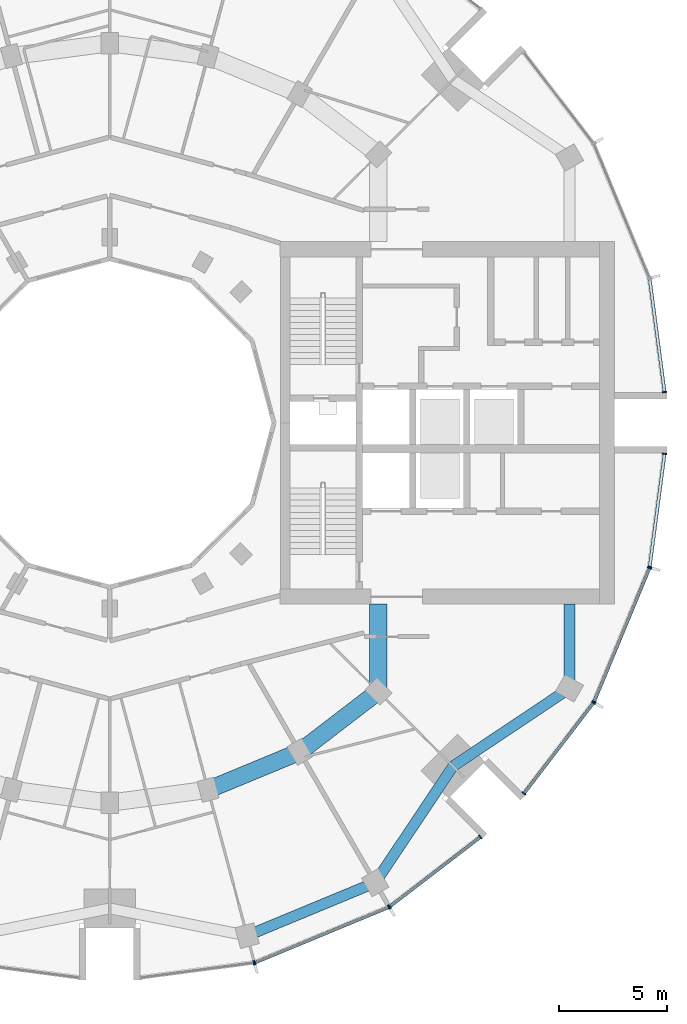
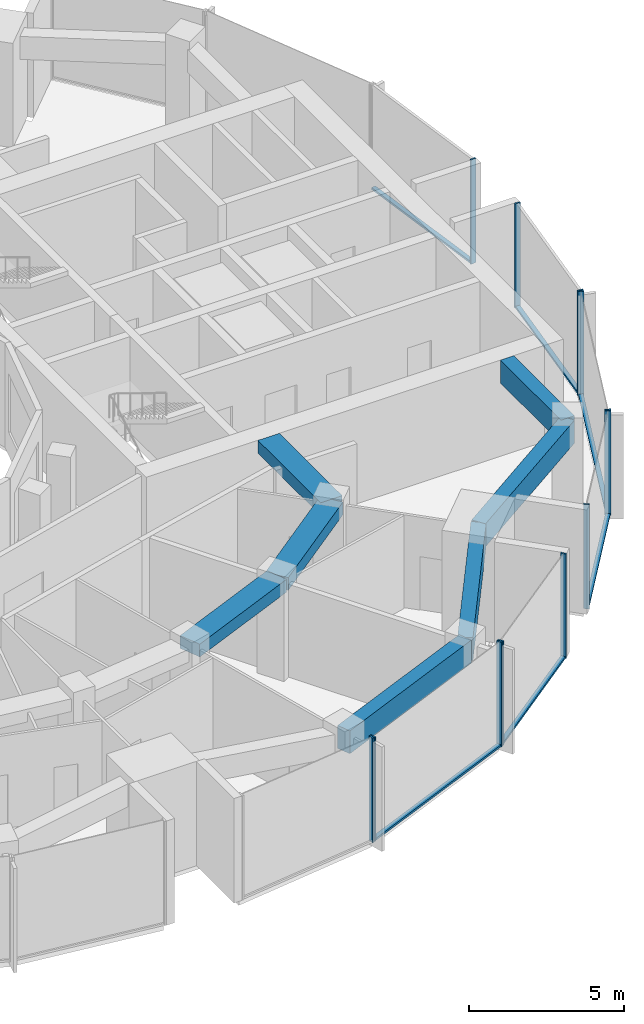
# One storey, part 4 of 15: 18 members, 7 beams, 7 elements without a shape of their own.
"""IFC4 building model written with IfcOpenShell, lengths in metres."""

from ifc_helpers import new_model, si_unit, direction, frame, origin, origin_2d, place, context, subcontext, project, spatial, rectangle, extrude, material, layer, layer_set, material_profile, profile_set, type_object, element, aggregate, save


model = new_model("IFC4")

# Units and contexts
model_context = context("Model", 3, precision=1e-05, world=origin(), true_north=direction((0.0, 1.0)))
body_context = subcontext(model_context, "Body", "Model", "MODEL_VIEW")
ifc_project = project(units=[si_unit("LENGTHUNIT", "METRE"), si_unit("AREAUNIT", "SQUARE_METRE"), si_unit("VOLUMEUNIT", "CUBIC_METRE"), si_unit("PLANEANGLEUNIT", "RADIAN"), si_unit("MASSUNIT", "GRAM", prefix="KILO")], contexts=[model_context])

# Site, building, storey
site_placement = place(None, origin())
site = spatial("IfcSite", under=ifc_project, at=site_placement, CompositionType="ELEMENT")
building_placement = place(site_placement, origin())
building = spatial("IfcBuilding", under=site, at=building_placement, Name="Torre Brocal", CompositionType="ELEMENT")
storey_placement = place(building_placement, frame((0.0, 0.0, 194.60009765625)))
storey = spatial("IfcBuildingStorey", under=building, at=storey_placement, Name="L45", CompositionType="ELEMENT", Elevation=194.60009765625)

# Curtain wall, member
ifc_material_1 = material(Name="Aluminium and glass", Category="aluminium")
ifc_layer_1 = layer(ifc_material_1, 0.199951171875)
ifc_layer_set_1 = layer_set([ifc_layer_1], Name="Aluminium and glass")
curtain_wall_type_1 = type_object("IfcCurtainWallType", Name="CW-1 CURTAIN WALL 4100 HIGH", PredefinedType="NOTDEFINED", material=ifc_layer_set_1)
curtain_wall_1_placement = place(storey_placement, origin())
curtain_wall_1 = element("IfcCurtainWall", 1, at=curtain_wall_1_placement, inside=storey, type_object=curtain_wall_type_1, Name="CW-1 RUN 19", PredefinedType="NOTDEFINED")
ifc_material_2 = material(Name="Aluminium, dark anodised", Category="aluminium")
ifc_material_profile_1 = material_profile(ifc_material_2, rectangle(XDim=0.199951171875, YDim=0.06005859375, at=origin_2d()), Name="CW-1 MULLION 60X200")
ifc_profile_set_1 = profile_set([ifc_material_profile_1], Name="Aluminium, dark anodised")
member_type_1 = type_object("IfcMemberType", Name="CW-1 MULLION 60X200", PredefinedType="MULLION", material=ifc_profile_set_1)
member_1_placement = place(storey_placement, frame((86.67333984375, 49.9794921875, 0.0), z_axis=(0.0, 0.0, 1.0), x_axis=(-0.13052619222, 0.991444861374, 0.0)))
member_1 = element("IfcMember", 2, at=member_1_placement, type_object=member_type_1, Name="CW1-4 mullion 2", PredefinedType="MULLION", context=body_context, shape_type="SweptSolid", body=[
    extrude(rectangle(XDim=0.199951171875, YDim=0.06005859375, at=origin_2d()), origin(), (0.0, 0.0, 1.0), 4.099853515625),
])
aggregate(curtain_wall_1, [member_1])

# Curtain wall, members
curtain_wall_2_placement = place(storey_placement, origin())
curtain_wall_2 = element("IfcCurtainWall", 3, at=curtain_wall_2_placement, inside=storey, type_object=curtain_wall_type_1, Name="CW-1 RUN 20", PredefinedType="NOTDEFINED")
member_2_placement = place(storey_placement, frame((86.73095703125, 49.994873046875, 0.0), z_axis=(0.0, 0.0, 1.0), x_axis=(-0.382683432333, 0.923879532525, 0.0)))
member_2 = element("IfcMember", 4, at=member_2_placement, type_object=member_type_1, Name="CW1-4 mullion 1", PredefinedType="MULLION", context=body_context, shape_type="SweptSolid", body=[
    extrude(rectangle(XDim=0.199951171875, YDim=0.06005859375, at=origin_2d()), origin(), (0.0, 0.0, 1.0), 4.099853515625),
])
member_3_placement = place(storey_placement, frame((92.921875, 52.559326171875, 0.0), z_axis=(0.0, 0.0, 1.0), x_axis=(-0.382683432333, 0.923879532525, 0.0)))
member_3 = element("IfcMember", 5, at=member_3_placement, type_object=member_type_1, Name="CW1-4 mullion 2", PredefinedType="MULLION", context=body_context, shape_type="SweptSolid", body=[
    extrude(rectangle(XDim=0.199951171875, YDim=0.06005859375, at=origin_2d()), origin(), (0.0, 0.0, 1.0), 4.099853515625),
])

curtain_wall_3_placement = place(storey_placement, origin())
curtain_wall_3 = element("IfcCurtainWall", 6, at=curtain_wall_3_placement, inside=storey, type_object=curtain_wall_type_1, Name="CW-1 RUN 21", PredefinedType="NOTDEFINED")
member_4_placement = place(storey_placement, frame((92.973388671875, 52.5888671875, 0.0), z_axis=(0.0, 0.0, 1.0), x_axis=(-0.60876142905, 0.793353340259, 0.0)))
member_4 = element("IfcMember", 7, at=member_4_placement, type_object=member_type_1, Name="CW1-4 mullion 1", PredefinedType="MULLION", context=body_context, shape_type="SweptSolid", body=[
    extrude(rectangle(XDim=0.199951171875, YDim=0.06005859375, at=origin_2d()), origin(), (0.0, 0.0, 1.0), 4.099853515625),
])
member_5_placement = place(storey_placement, frame((97.16943359375, 55.80859375, 0.0), z_axis=(0.0, 0.0, 1.0), x_axis=(-0.60876142905, 0.793353340259, 0.0)))
member_5 = element("IfcMember", 8, at=member_5_placement, type_object=member_type_1, Name="CW1-4 mullion 2", PredefinedType="MULLION", context=body_context, shape_type="SweptSolid", body=[
    extrude(rectangle(XDim=0.199951171875, YDim=0.06005859375, at=origin_2d()), origin(), (0.0, 0.0, 1.0), 4.099853515625),
])

curtain_wall_4_placement = place(storey_placement, origin())
curtain_wall_4 = element("IfcCurtainWall", 9, at=curtain_wall_4_placement, inside=storey, type_object=curtain_wall_type_1, Name="CW-1 RUN 22", PredefinedType="NOTDEFINED")
member_6_placement = place(storey_placement, frame((99.19140625, 57.83056640625, 0.0), z_axis=(0.0, 0.0, 1.0), x_axis=(-0.793353340259, 0.60876142905, 0.0)))
member_6 = element("IfcMember", 10, at=member_6_placement, type_object=member_type_1, Name="CW1-4 mullion 1", PredefinedType="MULLION", context=body_context, shape_type="SweptSolid", body=[
    extrude(rectangle(XDim=0.199951171875, YDim=0.06005859375, at=origin_2d()), origin(), (0.0, 0.0, 1.0), 4.099853515625),
])
member_7_placement = place(storey_placement, frame((102.4111328125, 62.026611328125, 0.0), z_axis=(0.0, 0.0, 1.0), x_axis=(-0.793353340259, 0.60876142905, 0.0)))
member_7 = element("IfcMember", 11, at=member_7_placement, type_object=member_type_1, Name="CW1-4 mullion 2", PredefinedType="MULLION", context=body_context, shape_type="SweptSolid", body=[
    extrude(rectangle(XDim=0.199951171875, YDim=0.06005859375, at=origin_2d()), origin(), (0.0, 0.0, 1.0), 4.099853515625),
])

curtain_wall_5_placement = place(storey_placement, origin())
curtain_wall_5 = element("IfcCurtainWall", 12, at=curtain_wall_5_placement, inside=storey, type_object=curtain_wall_type_1, Name="CW-1 RUN 23", PredefinedType="NOTDEFINED")
member_8_placement = place(storey_placement, frame((102.440673828125, 62.078125, 0.0), z_axis=(0.0, 0.0, 1.0), x_axis=(-0.923879532525, 0.382683432333, 0.0)))
member_8 = element("IfcMember", 13, at=member_8_placement, type_object=member_type_1, Name="CW1-4 mullion 1", PredefinedType="MULLION", context=body_context, shape_type="SweptSolid", body=[
    extrude(rectangle(XDim=0.199951171875, YDim=0.06005859375, at=origin_2d()), origin(), (0.0, 0.0, 1.0), 4.099853515625),
])
member_9_placement = place(storey_placement, frame((105.005126953125, 68.26904296875, 0.0), z_axis=(0.0, 0.0, 1.0), x_axis=(-0.923879532525, 0.382683432333, 0.0)))
member_9 = element("IfcMember", 14, at=member_9_placement, type_object=member_type_1, Name="CW1-4 mullion 2", PredefinedType="MULLION", context=body_context, shape_type="SweptSolid", body=[
    extrude(rectangle(XDim=0.199951171875, YDim=0.06005859375, at=origin_2d()), origin(), (0.0, 0.0, 1.0), 4.099853515625),
])

# Member
ifc_material_3 = material(Name="Aluminium, dark anodised", Category="aluminium")
ifc_material_profile_2 = material_profile(ifc_material_3, rectangle(XDim=0.159912109375, YDim=0.080078125, at=origin_2d()), Name="CW-1 TRANSOM 160X80")
ifc_profile_set_2 = profile_set([ifc_material_profile_2], Name="Aluminium, dark anodised")
member_type_2 = type_object("IfcMemberType", Name="CW-1 TRANSOM 160X80", PredefinedType="USERDEFINED", material=ifc_profile_set_2)
member_10_placement = place(storey_placement, frame((86.758544921875, 50.00634765625, 0.039794921875), z_axis=(0.923887344364, 0.38266457234, 0.0), x_axis=(-0.38266457234, 0.923887344364, 0.0)))
member_10 = element("IfcMember", 15, at=member_10_placement, type_object=member_type_2, Name="CW1-4 transom 1.1", ObjectType="TRANSOM", PredefinedType="USERDEFINED", context=body_context, shape_type="SweptSolid", body=[
    extrude(rectangle(XDim=0.159912109375, YDim=0.080078125, at=origin_2d()), origin(), (0.0, 0.0, 1.0), 6.640869140625),
])

aggregate(curtain_wall_2, [member_2, member_3, member_10])

member_11_placement = place(storey_placement, frame((92.9970703125, 52.607177734375, 0.039794921875), z_axis=(0.79336281513, 0.60874908096, 0.0), x_axis=(-0.60874908096, 0.79336281513, 0.0)))
member_11 = element("IfcMember", 16, at=member_11_placement, type_object=member_type_2, Name="CW1-4 transom 1.1", ObjectType="TRANSOM", PredefinedType="USERDEFINED", context=body_context, shape_type="SweptSolid", body=[
    extrude(rectangle(XDim=0.159912109375, YDim=0.080078125, at=origin_2d()), origin(), (0.0, 0.0, 1.0), 5.22900390625),
])

aggregate(curtain_wall_3, [member_4, member_5, member_11])

member_12_placement = place(storey_placement, frame((99.209716796875, 57.8544921875, 0.039794921875), z_axis=(0.60874908096, 0.79336281513, 0.0), x_axis=(-0.79336281513, 0.60874908096, 0.0)))
member_12 = element("IfcMember", 17, at=member_12_placement, type_object=member_type_2, Name="CW1-4 transom 1.1", ObjectType="TRANSOM", PredefinedType="USERDEFINED", context=body_context, shape_type="SweptSolid", body=[
    extrude(rectangle(XDim=0.159912109375, YDim=0.080078125, at=origin_2d()), origin(), (0.0, 0.0, 1.0), 5.22900390625),
])

aggregate(curtain_wall_4, [member_6, member_7, member_12])

member_13_placement = place(storey_placement, frame((102.452392578125, 62.10595703125, 0.039794921875), z_axis=(0.38266457234, 0.923887344364, 0.0), x_axis=(-0.923887344364, 0.38266457234, 0.0)))
member_13 = element("IfcMember", 18, at=member_13_placement, type_object=member_type_2, Name="CW1-4 transom 1.1", ObjectType="TRANSOM", PredefinedType="USERDEFINED", context=body_context, shape_type="SweptSolid", body=[
    extrude(rectangle(XDim=0.159912109375, YDim=0.080078125, at=origin_2d()), origin(), (0.0, 0.0, 1.0), 6.640869140625),
])

aggregate(curtain_wall_5, [member_8, member_9, member_13])

# Curtain wall, member
ifc_material_4 = material(Name="Aluminium and glass", Category="aluminium")
ifc_layer_2 = layer(ifc_material_4, 0.199951171875)
ifc_layer_set_2 = layer_set([ifc_layer_2], Name="Aluminium and glass")
curtain_wall_type_2 = type_object("IfcCurtainWallType", Name="CW-1B CURTAIN WALL 4100 HIGH", PredefinedType="NOTDEFINED", material=ifc_layer_set_2)
curtain_wall_6_placement = place(storey_placement, origin())
curtain_wall_6 = element("IfcCurtainWall", 19, at=curtain_wall_6_placement, inside=storey, type_object=curtain_wall_type_2, Name="CW-1B RUN 1", PredefinedType="NOTDEFINED")
ifc_material_5 = material(Name="Aluminium, dark anodised", Category="aluminium")
ifc_material_profile_3 = material_profile(ifc_material_5, rectangle(XDim=0.199951171875, YDim=0.06005859375, at=origin_2d()), Name="CW-1B MULLION 60X200")
ifc_profile_set_3 = profile_set([ifc_material_profile_3], Name="Aluminium, dark anodised")
member_type_3 = type_object("IfcMemberType", Name="CW-1B MULLION 60X200", PredefinedType="MULLION", material=ifc_profile_set_3)
member_14_placement = place(storey_placement, frame((105.7109375, 76.4296875, 0.0), z_axis=(0.0, 0.0, 1.0), x_axis=(-0.991444861374, -0.13052619222, 0.0)))
member_14 = element("IfcMember", 20, at=member_14_placement, type_object=member_type_3, Name="CW1B-4 mullion 1", PredefinedType="MULLION", context=body_context, shape_type="SweptSolid", body=[
    extrude(rectangle(XDim=0.199951171875, YDim=0.06005859375, at=origin_2d()), origin(), (0.0, 0.0, 1.0), 4.099853515625),
])

# Curtain wall, members
curtain_wall_7_placement = place(storey_placement, origin())
curtain_wall_7 = element("IfcCurtainWall", 21, at=curtain_wall_7_placement, inside=storey, type_object=curtain_wall_type_2, Name="CW-1B RUN 24", PredefinedType="NOTDEFINED")
member_15_placement = place(storey_placement, frame((105.0205078125, 68.32666015625, 0.0), z_axis=(0.0, 0.0, 1.0), x_axis=(-0.991444861374, 0.13052619222, 0.0)))
member_15 = element("IfcMember", 22, at=member_15_placement, type_object=member_type_3, Name="CW1B-4 mullion 1", PredefinedType="MULLION", context=body_context, shape_type="SweptSolid", body=[
    extrude(rectangle(XDim=0.199951171875, YDim=0.06005859375, at=origin_2d()), origin(), (0.0, 0.0, 1.0), 4.099853515625),
])
member_16_placement = place(storey_placement, frame((105.7109375, 73.5703125, 0.0), z_axis=(0.0, 0.0, 1.0), x_axis=(-0.991444861374, 0.13052619222, 0.0)))
member_16 = element("IfcMember", 23, at=member_16_placement, type_object=member_type_3, Name="CW1B-4 mullion 2", PredefinedType="MULLION", context=body_context, shape_type="SweptSolid", body=[
    extrude(rectangle(XDim=0.199951171875, YDim=0.06005859375, at=origin_2d()), origin(), (0.0, 0.0, 1.0), 4.099853515625),
])

# Member
ifc_material_6 = material(Name="Aluminium, dark anodised", Category="aluminium")
ifc_material_profile_4 = material_profile(ifc_material_6, rectangle(XDim=0.159912109375, YDim=0.080078125, at=origin_2d()), Name="CW-1B TRANSOM 160X80")
ifc_profile_set_4 = profile_set([ifc_material_profile_4], Name="Aluminium, dark anodised")
member_type_4 = type_object("IfcMemberType", Name="CW-1B TRANSOM 160X80", PredefinedType="USERDEFINED", material=ifc_profile_set_4)
member_17_placement = place(storey_placement, frame((105.70703125, 76.45947265625, 0.039794921875), z_axis=(-0.130542677827, 0.991442690863, 0.0), x_axis=(-0.991442690863, -0.130542677827, 0.0)))
member_17 = element("IfcMember", 24, at=member_17_placement, type_object=member_type_4, Name="CW1B-4 transom 1.1", ObjectType="TRANSOM", PredefinedType="USERDEFINED", context=body_context, shape_type="SweptSolid", body=[
    extrude(rectangle(XDim=0.159912109375, YDim=0.080078125, at=origin_2d()), origin(), (0.0, 0.0, 1.0), 5.22900390625),
])

aggregate(curtain_wall_6, [member_14, member_17])

member_18_placement = place(storey_placement, frame((105.0244140625, 68.356201171875, 0.039794921875), z_axis=(0.130542677827, 0.991442690863, 0.0), x_axis=(-0.991442690863, 0.130542677827, 0.0)))
member_18 = element("IfcMember", 25, at=member_18_placement, type_object=member_type_4, Name="CW1B-4 transom 1.1", ObjectType="TRANSOM", PredefinedType="USERDEFINED", context=body_context, shape_type="SweptSolid", body=[
    extrude(rectangle(XDim=0.159912109375, YDim=0.080078125, at=origin_2d()), origin(), (0.0, 0.0, 1.0), 5.22900390625),
])

aggregate(curtain_wall_7, [member_15, member_16, member_18])

# Beams
ifc_material_7 = material(Name="Concrete C50", Category="concrete")
ifc_material_profile_5 = material_profile(ifc_material_7, rectangle(XDim=0.800048828125, YDim=0.5, at=origin_2d()), Name="RC 800X500")
ifc_profile_set_5 = profile_set([ifc_material_profile_5], Name="Concrete C50")
beam_type_1 = type_object("IfcBeamType", Name="RC BEAM 800X500 C50 TOP 3780", PredefinedType="BEAM", material=ifc_profile_set_5)
beam_1_placement = place(storey_placement, frame((84.55517578125, 57.999755859375, 3.52978515625), z_axis=(0.923878240166, 0.382686552348, 0.0), x_axis=(-0.382686552348, 0.923878240166, 0.0)))
element("IfcBeam", 26, at=beam_1_placement, inside=storey, type_object=beam_type_1, Name="Beam BT-32", PredefinedType="BEAM", context=body_context, shape_type="SweptSolid", body=[
    extrude(rectangle(XDim=0.800048828125, YDim=0.5, at=origin_2d()), origin(), (0.0, 0.0, 1.0), 4.5947265625),
])
beam_2_placement = place(storey_placement, frame((88.800048828125, 59.758056640625, 3.52978515625), z_axis=(0.793358265959, 0.6087550097, 0.0), x_axis=(-0.6087550097, 0.793358265959, 0.0)))
element("IfcBeam", 27, at=beam_2_placement, inside=storey, type_object=beam_type_1, Name="Beam BT-32", PredefinedType="BEAM", context=body_context, shape_type="SweptSolid", body=[
    extrude(rectangle(XDim=0.800048828125, YDim=0.5, at=origin_2d()), origin(), (0.0, 0.0, 1.0), 4.594482421875),
])
beam_3_placement = place(storey_placement, frame((92.445068359375, 62.554931640625, 3.52978515625), z_axis=(0.0, 1.0, 0.0), x_axis=(-1.0, 0.0, 0.0)))
element("IfcBeam", 28, at=beam_3_placement, inside=storey, type_object=beam_type_1, Name="Beam BT-32", PredefinedType="BEAM", context=body_context, shape_type="SweptSolid", body=[
    extrude(rectangle(XDim=0.800048828125, YDim=0.5, at=origin_2d()), origin(), (0.0, 0.0, 1.0), 4.045166015625),
])
ifc_material_8 = material(Name="Concrete C50", Category="concrete")
ifc_material_profile_6 = material_profile(ifc_material_8, rectangle(XDim=0.5, YDim=0.89990234375, at=origin_2d()), Name="RC 500X900")
ifc_profile_set_6 = profile_set([ifc_material_profile_6], Name="Concrete C50")
beam_type_2 = type_object("IfcBeamType", Name="RC SPANDREL BEAM 500X900 C50 TOP 3780", PredefinedType="SPANDREL", material=ifc_profile_set_6)
beam_4_placement = place(storey_placement, frame((86.366943359375, 51.23828125, 3.329833984375), z_axis=(0.923882462513, 0.382676358639, 0.0), x_axis=(-0.382676358639, 0.923882462513, 0.0)))
element("IfcBeam", 29, at=beam_4_placement, inside=storey, type_object=beam_type_2, Name="Beam BT-33", PredefinedType="SPANDREL", context=body_context, shape_type="SweptSolid", body=[
    extrude(rectangle(XDim=0.5, YDim=0.89990234375, at=origin_2d()), origin(), (0.0, 0.0, 1.0), 6.421875),
])
for number, where, z_axis, x_axis, name in (
    (30, (92.300048828125, 53.69580078125, 3.329833984375), (0.556157602282, 0.831076844476, 0.0), (-0.831076844476, 0.556157602282, 0.0), "Beam BT-33"),
    (31, (95.909912109375, 59.090087890625, 3.329833984375), (0.831076844476, 0.556157602282, 0.0), (-0.556157602282, 0.831076844476, 0.0), "Beam BT-33"),
):
    element("IfcBeam", number, at=place(storey_placement, frame(where, z_axis=z_axis, x_axis=x_axis)), inside=storey, type_object=beam_type_2, Name=name, PredefinedType="SPANDREL", context=body_context, shape_type="SweptSolid", body=[
        extrude(rectangle(XDim=0.5, YDim=0.89990234375, at=origin_2d()), origin(), (0.0, 0.0, 1.0), 6.49072265625),
    ])
beam_5_placement = place(storey_placement, frame((101.30419921875, 62.699951171875, 3.329833984375), z_axis=(0.0, 1.0, 0.0), x_axis=(-1.0, 0.0, 0.0)))
element("IfcBeam", 32, at=beam_5_placement, inside=storey, type_object=beam_type_2, Name="Beam BT-33", PredefinedType="SPANDREL", context=body_context, shape_type="SweptSolid", body=[
    extrude(rectangle(XDim=0.5, YDim=0.89990234375, at=origin_2d()), origin(), (0.0, 0.0, 1.0), 3.900146484375),
])

save(model, "model.ifc")
